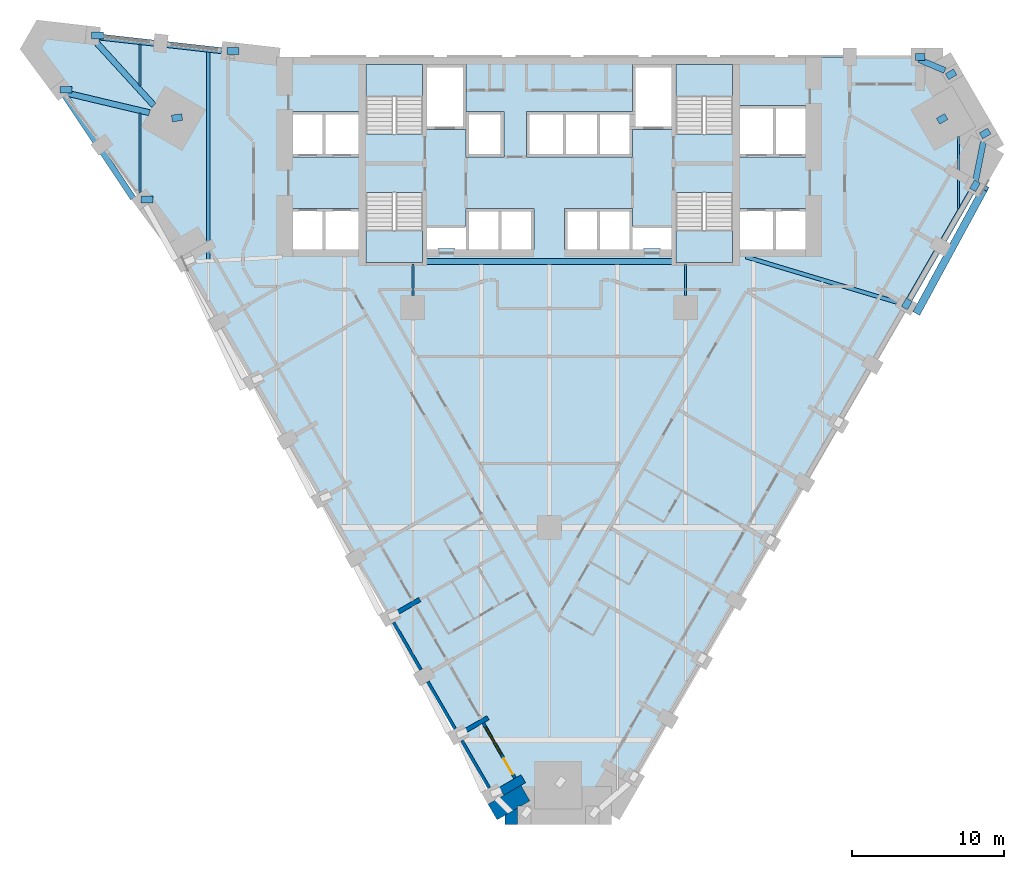
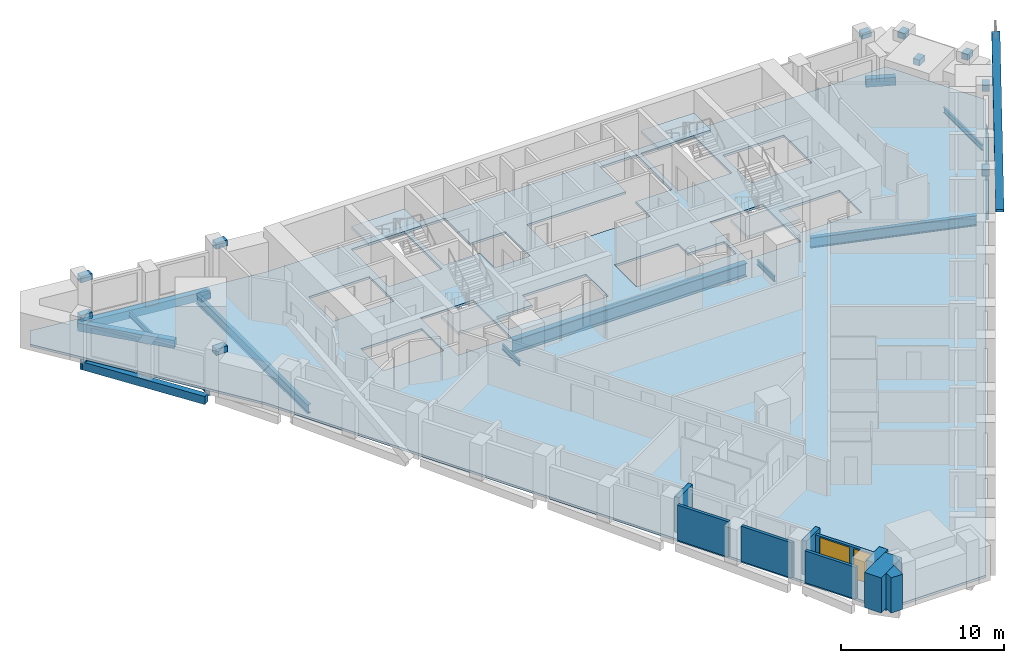
# One storey, part 2 of 11: 26 beams, 9 walls, 5 slabs, 1 door, 1 member, 1 window, 2 openings, 4 elements without a shape of their own.
"""IFC4 building model written with IfcOpenShell, lengths in metres."""

from ifc_helpers import new_model, si_unit, direction, frame, frame_2d, origin, origin_2d, place, context, subcontext, project, spatial, polyline, rectangle, hollow_rectangle, i_section, outline, extrude, material, layer, layer_set, material_profile, profile_set, type_object, element, fill, aggregate, save


model = new_model("IFC4")

# Units and contexts
model_context = context("Model", 3, precision=1e-05, world=origin(), true_north=direction((0.0, 1.0)))
body_context = subcontext(model_context, "Body", "Model", "MODEL_VIEW")
ifc_project = project(units=[si_unit("LENGTHUNIT", "METRE"), si_unit("AREAUNIT", "SQUARE_METRE"), si_unit("VOLUMEUNIT", "CUBIC_METRE"), si_unit("PLANEANGLEUNIT", "RADIAN"), si_unit("MASSUNIT", "GRAM", prefix="KILO")], contexts=[model_context])

# Site, building, storey
site_placement = place(None, origin())
site = spatial("IfcSite", under=ifc_project, at=site_placement, CompositionType="ELEMENT")
building_placement = place(site_placement, origin())
building = spatial("IfcBuilding", under=site, at=building_placement, Name="Calabash Gate Tower", CompositionType="ELEMENT")
storey_placement = place(building_placement, frame((0.0, 0.0, 73.199951171875)))
storey = spatial("IfcBuildingStorey", under=building, at=storey_placement, Name="L14", CompositionType="ELEMENT", Elevation=73.199951171875)

# Beams
ifc_material_1 = material(Name="Concrete C80/95", Category="concrete")
ifc_material_profile_1 = material_profile(ifc_material_1, rectangle(XDim=0.449951171875, YDim=0.449951171875, at=origin_2d()))
ifc_profile_set_1 = profile_set([ifc_material_profile_1], Name="Concrete C80/95")
beam_type_1 = type_object("IfcBeamType", Name="Column offset link RC 450x450 Concrete C80/95", PredefinedType="BEAM", material=ifc_profile_set_1)
beam_1_placement = place(storey_placement, frame((25.64794921875, 14.80810546875, 3.004150390625), z_axis=(0.866282275329, 0.499554821267, 0.0), x_axis=(-0.499554821267, 0.866282275329, 0.0)))
element("IfcBeam", 1, at=beam_1_placement, inside=storey, type_object=beam_type_1, Name="Column offset link L14 NE", PredefinedType="BEAM", context=body_context, shape_type="SweptSolid", body=[
    extrude(rectangle(XDim=0.449951171875, YDim=0.449951171875, at=origin_2d()), origin(), (0.0, 0.0, 1.0), 0.63037109375),
])
beam_2_placement = place(storey_placement, frame((-24.89306640625, 14.989990234375, 3.004150390625), z_axis=(0.989849007121, 0.142122985833, 0.0), x_axis=(-0.142122985833, 0.989849007121, 0.0)))
element("IfcBeam", 2, at=beam_2_placement, inside=storey, type_object=beam_type_1, Name="Column offset link L14 NW", PredefinedType="BEAM", context=body_context, shape_type="SweptSolid", body=[
    extrude(rectangle(XDim=0.449951171875, YDim=0.449951171875, at=origin_2d()), origin(), (0.0, 0.0, 1.0), 0.681884765625),
])
beam_3_placement = place(storey_placement, frame((23.431884765625, 2.48095703125, 3.004150390625), z_axis=(0.499845348112, 0.866114673684, 0.0), x_axis=(-0.866114673684, 0.499845348112, 0.0)))
element("IfcBeam", 3, at=beam_3_placement, inside=storey, type_object=beam_type_1, Name="Column offset link L14 P12", PredefinedType="BEAM", context=body_context, shape_type="SweptSolid", body=[
    extrude(rectangle(XDim=0.449951171875, YDim=0.449951171875, at=origin_2d()), origin(), (0.0, 0.0, 1.0), 0.630615234375),
])
beam_4_placement = place(storey_placement, frame((27.931884765625, 10.277099609375, 3.004150390625), z_axis=(0.501357711055, 0.865240108621, 0.0), x_axis=(-0.865240108621, 0.501357711055, 0.0)))
element("IfcBeam", 4, at=beam_4_placement, inside=storey, type_object=beam_type_1, Name="Column offset link L14 P13", PredefinedType="BEAM", context=body_context, shape_type="SweptSolid", body=[
    extrude(rectangle(XDim=0.449951171875, YDim=0.449951171875, at=origin_2d()), origin(), (0.0, 0.0, 1.0), 0.628662109375),
])
beam_5_placement = place(storey_placement, frame((28.486083984375, 13.847900390625, 3.004150390625), z_axis=(0.866017890655, 0.500013012896, 0.0), x_axis=(-0.500013012896, 0.866017890655, 0.0)))
element("IfcBeam", 5, at=beam_5_placement, inside=storey, type_object=beam_type_1, Name="Column offset link L14 P14", PredefinedType="BEAM", context=body_context, shape_type="SweptSolid", body=[
    extrude(rectangle(XDim=0.449951171875, YDim=0.449951171875, at=origin_2d()), origin(), (0.0, 0.0, 1.0), 0.63037109375),
])
beam_6_placement = place(storey_placement, frame((26.236083984375, 17.74609375, 3.004150390625), z_axis=(0.866185586049, 0.49972245349, 0.0), x_axis=(-0.49972245349, 0.866185586049, 0.0)))
element("IfcBeam", 6, at=beam_6_placement, inside=storey, type_object=beam_type_1, Name="Column offset link L14 P15", PredefinedType="BEAM", context=body_context, shape_type="SweptSolid", body=[
    extrude(rectangle(XDim=0.449951171875, YDim=0.449951171875, at=origin_2d()), origin(), (0.0, 0.0, 1.0), 0.630126953125),
])
beam_7_placement = place(storey_placement, frame((24.162109375, 19.052978515625, 3.004150390625), z_axis=(1.0, 0.0, 0.0), x_axis=(0.0, 1.0, 0.0)))
element("IfcBeam", 7, at=beam_7_placement, inside=storey, type_object=beam_type_1, Name="Column offset link L14 P16", PredefinedType="BEAM", context=body_context, shape_type="SweptSolid", body=[
    extrude(rectangle(XDim=0.449951171875, YDim=0.449951171875, at=origin_2d()), origin(), (0.0, 0.0, 1.0), 0.6298828125),
])
beam_8_placement = place(storey_placement, frame((-21.27392578125, 19.43798828125, 3.004150390625), z_axis=(1.0, 0.0, 0.0), x_axis=(0.0, 1.0, 0.0)))
element("IfcBeam", 8, at=beam_8_placement, inside=storey, type_object=beam_type_1, Name="Column offset link L14 P17", PredefinedType="BEAM", context=body_context, shape_type="SweptSolid", body=[
    extrude(rectangle(XDim=0.449951171875, YDim=0.449951171875, at=origin_2d()), origin(), (0.0, 0.0, 1.0), 0.796875),
])
beam_9_placement = place(storey_placement, frame((-30.212890625, 20.4619140625, 3.004150390625), z_axis=(1.0, 0.0, 0.0), x_axis=(0.0, 1.0, 0.0)))
element("IfcBeam", 9, at=beam_9_placement, inside=storey, type_object=beam_type_1, Name="Column offset link L14 P18", PredefinedType="BEAM", context=body_context, shape_type="SweptSolid", body=[
    extrude(rectangle(XDim=0.449951171875, YDim=0.449951171875, at=origin_2d()), origin(), (0.0, 0.0, 1.0), 0.7939453125),
])
beam_10_placement = place(storey_placement, frame((-32.281982421875, 16.883056640625, 3.004150390625), z_axis=(1.0, 0.0, 0.0), x_axis=(0.0, 1.0, 0.0)))
element("IfcBeam", 10, at=beam_10_placement, inside=storey, type_object=beam_type_1, Name="Column offset link L14 P19", PredefinedType="BEAM", context=body_context, shape_type="SweptSolid", body=[
    extrude(rectangle(XDim=0.449951171875, YDim=0.449951171875, at=origin_2d()), origin(), (0.0, 0.0, 1.0), 0.799072265625),
])
beam_11_placement = place(storey_placement, frame((-26.924072265625, 9.65087890625, 3.004150390625), z_axis=(1.0, 0.0, 0.0), x_axis=(0.0, 1.0, 0.0)))
element("IfcBeam", 11, at=beam_11_placement, inside=storey, type_object=beam_type_1, Name="Column offset link L14 P20", PredefinedType="BEAM", context=body_context, shape_type="SweptSolid", body=[
    extrude(rectangle(XDim=0.449951171875, YDim=0.449951171875, at=origin_2d()), origin(), (0.0, 0.0, 1.0), 0.796142578125),
])
ifc_material_2 = material(Name="Concrete C60/75", Category="concrete")
ifc_material_profile_2 = material_profile(ifc_material_2, rectangle(XDim=0.39990234375, YDim=0.60009765625, at=origin_2d()))
ifc_profile_set_2 = profile_set([ifc_material_profile_2], Name="Concrete C60/75")
beam_type_2 = type_object("IfcBeamType", Name="Edge beam RC 400x600 Concrete C60/75", PredefinedType="BEAM", material=ifc_profile_set_2)
beam_12_placement = place(storey_placement, frame((23.616943359375, 2.801025390625, -0.469970703125), z_axis=(0.500025102917, 0.866010910123, 0.0), x_axis=(-0.866010910123, 0.500025102917, 0.0)))
element("IfcBeam", 12, at=beam_12_placement, inside=storey, type_object=beam_type_2, Name="Edge beam L14 11", PredefinedType="BEAM", context=body_context, shape_type="SweptSolid", body=[
    extrude(rectangle(XDim=0.39990234375, YDim=0.60009765625, at=origin_2d()), origin(), (0.0, 0.0, 1.0), 8.42578125),
])
beam_13_placement = place(storey_placement, frame((28.072021484375, 10.618896484375, -0.469970703125), z_axis=(0.197276022222, 0.980347984675, 0.0), x_axis=(-0.980347984675, 0.197276022222, 0.0)))
element("IfcBeam", 13, at=beam_13_placement, inside=storey, type_object=beam_type_2, Name="Edge beam L14 12", PredefinedType="BEAM", context=body_context, shape_type="SweptSolid", body=[
    extrude(rectangle(XDim=0.39990234375, YDim=0.60009765625, at=origin_2d()), origin(), (0.0, 0.0, 1.0), 2.87353515625),
])
beam_14_placement = place(storey_placement, frame((26.10205078125, 18.157958984375, -0.469970703125), z_axis=(-0.921349387406, 0.388735522337, 0.0), x_axis=(-0.388735522337, -0.921349387406, 0.0)))
element("IfcBeam", 14, at=beam_14_placement, inside=storey, type_object=beam_type_2, Name="Edge beam L14 13", PredefinedType="BEAM", context=body_context, shape_type="SweptSolid", body=[
    extrude(rectangle(XDim=0.39990234375, YDim=0.60009765625, at=origin_2d()), origin(), (0.0, 0.0, 1.0), 1.849609375),
])
beam_15_placement = place(storey_placement, frame((-21.60400390625, 19.466064453125, -0.469970703125), z_axis=(-0.99383590534, 0.110861144034, 0.0), x_axis=(-0.110861144034, -0.99383590534, 0.0)))
element("IfcBeam", 15, at=beam_15_placement, inside=storey, type_object=beam_type_2, Name="Edge beam L14 14", PredefinedType="BEAM", context=body_context, shape_type="SweptSolid", body=[
    extrude(rectangle(XDim=0.39990234375, YDim=0.60009765625, at=origin_2d()), origin(), (0.0, 0.0, 1.0), 8.731689453125),
])
beam_16_placement = place(storey_placement, frame((-30.27392578125, 20.43994140625, -0.469970703125), z_axis=(0.674455005986, -0.738315951947, 0.0), x_axis=(0.738315951947, 0.674455005986, 0.0)))
element("IfcBeam", 16, at=beam_16_placement, inside=storey, type_object=beam_type_2, Name="Edge beam L14 15", PredefinedType="BEAM", context=body_context, shape_type="SweptSolid", body=[
    extrude(rectangle(XDim=0.39990234375, YDim=0.60009765625, at=origin_2d()), origin(), (0.0, 0.0, 1.0), 6.204833984375),
])
beam_17_placement = place(storey_placement, frame((-26.37890625, 15.37109375, -0.469970703125), z_axis=(-0.972965084641, 0.230952254956, 0.0), x_axis=(-0.230952254956, -0.972965084641, 0.0)))
element("IfcBeam", 17, at=beam_17_placement, inside=storey, type_object=beam_type_2, Name="Edge beam L14 16", PredefinedType="BEAM", context=body_context, shape_type="SweptSolid", body=[
    extrude(rectangle(XDim=0.39990234375, YDim=0.60009765625, at=origin_2d()), origin(), (0.0, 0.0, 1.0), 6.009521484375),
])
beam_18_placement = place(storey_placement, frame((-32.1640625, 16.81103515625, -0.469970703125), z_axis=(0.554673741128, -0.832067930462, 0.0), x_axis=(0.832067930462, 0.554673741128, 0.0)))
element("IfcBeam", 18, at=beam_18_placement, inside=storey, type_object=beam_type_2, Name="Edge beam L14 17", PredefinedType="BEAM", context=body_context, shape_type="SweptSolid", body=[
    extrude(rectangle(XDim=0.39990234375, YDim=0.60009765625, at=origin_2d()), origin(), (0.0, 0.0, 1.0), 8.518798828125),
])
ifc_material_3 = material(Name="Steel ASTM A992 Gr50", Category="steel")
ifc_material_profile_3 = material_profile(ifc_material_3, i_section(OverallWidth=0.1396484375, OverallDepth=0.398681640625, WebThickness=0.00634765625, FlangeThickness=0.0087890625, FilletRadius=0.01025390625, at=origin_2d()))
ifc_profile_set_3 = profile_set([ifc_material_profile_3], Name="Steel ASTM A992 Gr50")
beam_type_3 = type_object("IfcBeamType", Name="Floor beam W16x26 ASTM A992 Gr50", PredefinedType="BEAM", material=ifc_profile_set_3)
beam_19_placement = place(storey_placement, frame((-27.0, 10.069091796875, -0.368896484375), z_axis=(0.0, 1.0, 0.0), x_axis=(-1.0, 0.0, 0.0)))
element("IfcBeam", 19, at=beam_19_placement, inside=storey, type_object=beam_type_3, Name="Floor beam L14 1", PredefinedType="BEAM", context=body_context, shape_type="SweptSolid", body=[
    extrude(i_section(OverallWidth=0.1396484375, OverallDepth=0.398681640625, WebThickness=0.00634765625, FlangeThickness=0.0087890625, FilletRadius=0.01025390625, at=origin_2d()), origin(), (0.0, 0.0, 1.0), 5.267822265625),
])
beam_20_placement = place(storey_placement, frame((-27.0, 17.14111328125, -0.368896484375), z_axis=(0.0, 1.0, 0.0), x_axis=(-1.0, 0.0, 0.0)))
element("IfcBeam", 20, at=beam_20_placement, inside=storey, type_object=beam_type_3, Name="Floor beam L14 2", PredefinedType="BEAM", context=body_context, shape_type="SweptSolid", body=[
    extrude(i_section(OverallWidth=0.1396484375, OverallDepth=0.398681640625, WebThickness=0.00634765625, FlangeThickness=0.0087890625, FilletRadius=0.01025390625, at=origin_2d()), origin(), (0.0, 0.0, 1.0), 2.755859375),
])
for number, where, z_axis, x_axis, name in (
    (21, (-9.0, 3.300048828125, -0.368896484375), (0.0, 1.0, 0.0), (-1.0, 0.0, 0.0), "Floor beam L14 9"),
    (22, (9.0, 3.300048828125, -0.368896484375), (0.0, 1.0, 0.0), (-1.0, 0.0, 0.0), "Floor beam L14 19"),
):
    element("IfcBeam", number, at=place(storey_placement, frame(where, z_axis=z_axis, x_axis=x_axis)), inside=storey, type_object=beam_type_3, Name=name, PredefinedType="BEAM", context=body_context, shape_type="SweptSolid", body=[
        extrude(i_section(OverallWidth=0.1396484375, OverallDepth=0.398681640625, WebThickness=0.00634765625, FlangeThickness=0.0087890625, FilletRadius=0.01025390625, at=origin_2d()), origin(), (0.0, 0.0, 1.0), 2.10302734375),
    ])
beam_21_placement = place(storey_placement, frame((27.0, 9.048095703125, -0.368896484375), z_axis=(0.0, 1.0, 0.0), x_axis=(-1.0, 0.0, 0.0)))
element("IfcBeam", 23, at=beam_21_placement, inside=storey, type_object=beam_type_3, Name="Floor beam L14 23", PredefinedType="BEAM", context=body_context, shape_type="SweptSolid", body=[
    extrude(i_section(OverallWidth=0.1396484375, OverallDepth=0.398681640625, WebThickness=0.00634765625, FlangeThickness=0.0087890625, FilletRadius=0.01025390625, at=origin_2d()), origin(), (0.0, 0.0, 1.0), 4.744873046875),
])
ifc_material_4 = material(Name="Steel ASTM A992 Gr50", Category="steel")
ifc_material_profile_4 = material_profile(ifc_material_4, i_section(OverallWidth=0.25390625, OverallDepth=0.67822265625, WebThickness=0.01171875, FlangeThickness=0.016357421875, FilletRadius=0.01513671875, at=origin_2d()))
ifc_profile_set_4 = profile_set([ifc_material_profile_4], Name="Steel ASTM A992 Gr50")
beam_type_4 = type_object("IfcBeamType", Name="Floor beam W27x84 ASTM A992 Gr50", PredefinedType="BEAM", material=ifc_profile_set_4)
beam_22_placement = place(storey_placement, frame((-22.5, 5.7041015625, -0.509033203125), z_axis=(0.0, 1.0, 0.0), x_axis=(-1.0, 0.0, 0.0)))
element("IfcBeam", 24, at=beam_22_placement, inside=storey, type_object=beam_type_4, Name="Floor beam L14 4", PredefinedType="BEAM", context=body_context, shape_type="SweptSolid", body=[
    extrude(i_section(OverallWidth=0.25390625, OverallDepth=0.67822265625, WebThickness=0.01171875, FlangeThickness=0.016357421875, FilletRadius=0.01513671875, at=origin_2d()), origin(), (0.0, 0.0, 1.0), 13.6748046875),
])
ifc_material_5 = material(Name="Steel ASTM A992 Gr50", Category="steel")
ifc_material_profile_5 = material_profile(ifc_material_5, i_section(OverallWidth=0.2666015625, OverallDepth=0.77978515625, WebThickness=0.0166015625, FlangeThickness=0.030029296875, FilletRadius=0.0166015625, at=origin_2d()))
ifc_profile_set_5 = profile_set([ifc_material_profile_5], Name="Steel ASTM A992 Gr50")
beam_type_5 = type_object("IfcBeamType", Name="Girder W30x148 ASTM A992 Gr50", PredefinedType="BEAM", material=ifc_profile_set_5)
beam_23_placement = place(storey_placement, frame((22.97900390625, 2.85302734375, -0.56005859375), z_axis=(-0.957675094777, 0.287851372836, 0.0), x_axis=(-0.287851372836, -0.957675094777, 0.0)))
element("IfcBeam", 25, at=beam_23_placement, inside=storey, type_object=beam_type_5, Name="Girder L14 3", PredefinedType="BEAM", context=body_context, shape_type="SweptSolid", body=[
    extrude(i_section(OverallWidth=0.2666015625, OverallDepth=0.77978515625, WebThickness=0.0166015625, FlangeThickness=0.030029296875, FilletRadius=0.0166015625, at=origin_2d()), origin(), (0.0, 0.0, 1.0), 10.453369140625),
])
ifc_material_6 = material(Name="Steel ASTM A992 Gr50", Category="steel")
ifc_material_profile_6 = material_profile(ifc_material_6, i_section(OverallWidth=0.4013671875, OverallDepth=1.000732421875, WebThickness=0.01904296875, FlangeThickness=0.0361328125, FilletRadius=0.030029296875, at=origin_2d()))
ifc_profile_set_6 = profile_set([ifc_material_profile_6], Name="Steel ASTM A992 Gr50")
beam_type_6 = type_object("IfcBeamType", Name="Girder W40x249 ASTM A992 Gr50", PredefinedType="BEAM", material=ifc_profile_set_6)
beam_24_placement = place(storey_placement, frame((-8.25, 5.552978515625, -0.669921875), z_axis=(1.0, 0.0, 0.0), x_axis=(0.0, 1.0, 0.0)))
element("IfcBeam", 26, at=beam_24_placement, inside=storey, type_object=beam_type_6, Name="Girder L14 1", PredefinedType="BEAM", context=body_context, shape_type="SweptSolid", body=[
    extrude(i_section(OverallWidth=0.4013671875, OverallDepth=1.000732421875, WebThickness=0.01904296875, FlangeThickness=0.0361328125, FilletRadius=0.030029296875, at=origin_2d()), origin(), (0.0, 0.0, 1.0), 16.5),
])

# Member
ifc_material_7 = material(Name="Steel ASTM A500 Gr C", Category="steel")
ifc_material_profile_7 = material_profile(ifc_material_7, hollow_rectangle(XDim=0.508056640625, YDim=0.508056640625, WallThickness=0.01904296875, at=origin_2d()))
ifc_profile_set_7 = profile_set([ifc_material_profile_7], Name="Steel ASTM A500 Gr C")
member_type = type_object("IfcMemberType", Name="Mega-brace HSS20X20X.750 ASTM A500 Gr C", PredefinedType="BRACE", material=ifc_profile_set_7)
member_placement = place(storey_placement, frame((24.287841796875, 2.2548828125, 0.0), z_axis=(0.385199919097, 0.709438279954, 0.59018501274), x_axis=(-0.878813808184, 0.4771648463, 0.0)))
element("IfcMember", 27, at=member_placement, inside=storey, type_object=member_type, Name="Mega-brace SE Z1 10", PredefinedType="BRACE", context=body_context, shape_type="SweptSolid", body=[
    extrude(hollow_rectangle(XDim=0.508056640625, YDim=0.508056640625, WallThickness=0.01904296875, at=origin_2d()), origin(), (0.0, 0.0, 1.0), 11.52197265625),
])

# Slab
ifc_material_8 = material(Name="Concrete C40/50", Category="concrete")
ifc_layer_1 = layer(ifc_material_8, 0.169921875)
ifc_layer_set_1 = layer_set([ifc_layer_1], Name="Composite floor slab 170 Concrete C40/50")
slab_type_1 = type_object("IfcSlabType", Name="Composite floor slab 170 Concrete C40/50", PredefinedType="FLOOR", material=ifc_layer_set_1)
slab_1_placement = place(storey_placement, frame((0.0, 0.0, -0.169921875)))
element("IfcSlab", 28, at=slab_1_placement, inside=storey, type_object=slab_type_1, Name="Floor slab L14", PredefinedType="FLOOR", context=body_context, shape_type="SweptSolid", body=[
    extrude(outline(polyline([(-24.806640625, 6.92822265625), (-34.19921875, 19.606201171875), (-33.482421875, 20.84765625), (-17.806640625, 19.052490234375), (25.96240234375, 19.052490234375), (29.481201171875, 12.957763671875), (4.115478515625, -30.97705078125), (-2.922119140625, -30.97705078125), (-24.806640625, 6.92822265625)]), holes=[polyline([(-5.5, 9.052490234375), (-5.5, 7.8525390625), (-8.050048828125, 7.8525390625), (-8.050048828125, 6.3525390625), (-7.324951171875, 6.3525390625), (-7.324951171875, 6.402587890625), (-6.22509765625, 6.402587890625), (-6.22509765625, 6.3525390625), (-5.5, 6.3525390625), (-3.25, 6.3525390625), (-1.0, 6.3525390625), (-1.0, 9.052490234375), (-3.25, 9.052490234375), (-5.5, 9.052490234375)]), polyline([(5.5, 9.052490234375), (3.25, 9.052490234375), (1.0, 9.052490234375), (1.0, 6.3525390625), (3.25, 6.3525390625), (5.5, 6.3525390625), (6.22509765625, 6.3525390625), (6.22509765625, 6.402587890625), (7.324951171875, 6.402587890625), (7.324951171875, 6.3525390625), (8.050048828125, 6.3525390625), (8.050048828125, 7.8525390625), (5.5, 7.8525390625), (5.5, 9.052490234375)]), polyline([(-5.5, 14.252685546875), (-5.5, 12.45263671875), (-3.0, 12.45263671875), (-3.0, 15.45263671875), (-5.5, 15.45263671875), (-5.5, 18.552490234375), (-8.050048828125, 18.552490234375), (-8.050048828125, 14.252685546875), (-5.5, 14.252685546875)]), polyline([(8.050048828125, 18.552490234375), (5.5, 18.552490234375), (5.5, 15.45263671875), (3.25, 15.45263671875), (1.0, 15.45263671875), (-1.5, 15.45263671875), (-1.5, 12.45263671875), (1.0, 12.45263671875), (3.25, 12.45263671875), (5.5, 12.45263671875), (5.5, 14.252685546875), (8.050048828125, 14.252685546875), (8.050048828125, 18.552490234375)]), polyline([(-12.60009765625, 6.3525390625), (-12.60009765625, 9.052490234375), (-14.85009765625, 9.052490234375), (-16.89990234375, 9.052490234375), (-16.89990234375, 6.3525390625), (-14.85009765625, 6.3525390625), (-12.60009765625, 6.3525390625)]), polyline([(-14.85009765625, 12.45263671875), (-12.60009765625, 12.45263671875), (-12.60009765625, 15.45263671875), (-14.85009765625, 15.45263671875), (-16.89990234375, 15.45263671875), (-16.89990234375, 12.45263671875), (-14.85009765625, 12.45263671875)]), polyline([(14.85009765625, 6.3525390625), (16.89990234375, 6.3525390625), (16.89990234375, 9.052490234375), (14.85009765625, 9.052490234375), (12.60009765625, 9.052490234375), (12.60009765625, 6.3525390625), (14.85009765625, 6.3525390625)]), polyline([(14.85009765625, 12.45263671875), (16.89990234375, 12.45263671875), (16.89990234375, 15.8525390625), (14.85009765625, 15.8525390625), (12.60009765625, 15.8525390625), (12.60009765625, 12.45263671875), (14.85009765625, 12.45263671875)]), polyline([(-8.35009765625, 18.552490234375), (-12.10009765625, 18.552490234375), (-12.10009765625, 13.95263671875), (-8.35009765625, 13.95263671875), (-8.35009765625, 18.552490234375)]), polyline([(-12.10009765625, 10.1025390625), (-12.10009765625, 5.502685546875), (-8.35009765625, 5.502685546875), (-8.35009765625, 10.1025390625), (-12.10009765625, 10.1025390625)]), polyline([(8.35009765625, 13.95263671875), (12.10009765625, 13.95263671875), (12.10009765625, 18.552490234375), (8.35009765625, 18.552490234375), (8.35009765625, 13.95263671875)]), polyline([(12.10009765625, 5.502685546875), (12.10009765625, 10.1025390625), (8.35009765625, 10.1025390625), (8.35009765625, 5.502685546875), (12.10009765625, 5.502685546875)])]), origin(), (0.0, 0.0, 1.0), 0.169921875),
])

# Stair, slab
ifc_material_9 = material(Name="Concrete C40/50", Category="concrete")
stair_type = type_object("IfcStairType", Name="Exit stair 20 risers of 170 mm", PredefinedType="HALF_TURN_STAIR", material=ifc_material_9)
stair_1_placement = place(storey_placement, origin())
stair_1 = element("IfcStair", 29, at=stair_1_placement, inside=storey, type_object=stair_type, Name="L14 Exit stair ST1", PredefinedType="HALF_TURN_STAIR")
ifc_material_10 = material(Name="Concrete C40/50", Category="concrete")
ifc_layer_2 = layer(ifc_material_10, 0.199951171875)
ifc_layer_set_2 = layer_set([ifc_layer_2], Name="Stair landing SL200")
slab_type_2 = type_object("IfcSlabType", Name="Stair landing SL200", PredefinedType="LANDING", material=ifc_layer_set_2)
slab_2_placement = place(storey_placement, frame((0.0, 0.0, 1.5)))
slab_2 = element("IfcSlab", 30, at=slab_2_placement, type_object=slab_type_2, Name="ST1 landing 1", PredefinedType="LANDING", context=body_context, shape_type="SweptSolid", body=[
    extrude(outline(polyline([(-8.35009765625, 16.463623046875), (-8.35009765625, 18.552490234375), (-12.10009765625, 18.552490234375), (-12.10009765625, 16.463623046875), (-8.35009765625, 16.463623046875)])), origin(), (0.0, 0.0, 1.0), 0.199951171875),
])
aggregate(stair_1, [slab_2])

stair_2_placement = place(storey_placement, origin())
stair_2 = element("IfcStair", 31, at=stair_2_placement, inside=storey, type_object=stair_type, Name="L14 Exit stair ST2", PredefinedType="HALF_TURN_STAIR")
slab_3_placement = place(storey_placement, frame((0.0, 0.0, 1.5)))
slab_3 = element("IfcSlab", 32, at=slab_3_placement, type_object=slab_type_2, Name="ST2 landing 1", PredefinedType="LANDING", context=body_context, shape_type="SweptSolid", body=[
    extrude(outline(polyline([(-12.10009765625, 7.591552734375), (-12.10009765625, 5.502685546875), (-8.35009765625, 5.502685546875), (-8.35009765625, 7.591552734375), (-12.10009765625, 7.591552734375)])), origin(), (0.0, 0.0, 1.0), 0.199951171875),
])
aggregate(stair_2, [slab_3])

stair_3_placement = place(storey_placement, origin())
stair_3 = element("IfcStair", 33, at=stair_3_placement, inside=storey, type_object=stair_type, Name="L14 Exit stair ST3", PredefinedType="HALF_TURN_STAIR")
slab_4_placement = place(storey_placement, frame((0.0, 0.0, 1.5)))
slab_4 = element("IfcSlab", 34, at=slab_4_placement, type_object=slab_type_2, Name="ST3 landing 1", PredefinedType="LANDING", context=body_context, shape_type="SweptSolid", body=[
    extrude(outline(polyline([(12.10009765625, 16.463623046875), (12.10009765625, 18.552490234375), (8.35009765625, 18.552490234375), (8.35009765625, 16.463623046875), (12.10009765625, 16.463623046875)])), origin(), (0.0, 0.0, 1.0), 0.199951171875),
])
aggregate(stair_3, [slab_4])

stair_4_placement = place(storey_placement, origin())
stair_4 = element("IfcStair", 35, at=stair_4_placement, inside=storey, type_object=stair_type, Name="L14 Exit stair ST4", PredefinedType="HALF_TURN_STAIR")
slab_5_placement = place(storey_placement, frame((0.0, 0.0, 1.5)))
slab_5 = element("IfcSlab", 36, at=slab_5_placement, type_object=slab_type_2, Name="ST4 landing 1", PredefinedType="LANDING", context=body_context, shape_type="SweptSolid", body=[
    extrude(outline(polyline([(8.35009765625, 7.591552734375), (8.35009765625, 5.502685546875), (12.10009765625, 5.502685546875), (12.10009765625, 7.591552734375), (8.35009765625, 7.591552734375)])), origin(), (0.0, 0.0, 1.0), 0.199951171875),
])
aggregate(stair_4, [slab_5])

# Walls
ifc_material_11 = material(Name="Terracotta brick masonry, exposed face", Category="masonry")
ifc_layer_3 = layer(ifc_material_11, 2.5)
ifc_layer_set_3 = layer_set([ifc_layer_3], Name="Brick corner mass wall 2500")
wall_type_1 = type_object("IfcWallType", Name="Brick corner mass wall 2500", PredefinedType="SOLIDWALL", material=ifc_layer_set_3)
wall_1_placement = place(storey_placement, origin())
element("IfcWall", 37, at=wall_1_placement, inside=storey, type_object=wall_type_1, Name="Brick corner pier S03 2a", PredefinedType="SOLIDWALL", context=body_context, shape_type="SweptSolid", body=[
    extrude(outline(polyline([(-1.276611328125, -30.027099609375), (-1.868896484375, -29.001220703125), (-4.033935546875, -30.251220703125), (-3.441650390625, -31.277099609375), (-2.10302734375, -30.504150390625), (-2.10302734375, -30.376953125), (-1.8828125, -30.376953125), (-1.276611328125, -30.027099609375)])), origin(), (0.0, 0.0, 1.0), 2.630126953125),
])
wall_2_placement = place(storey_placement, origin())
element("IfcWall", 38, at=wall_2_placement, inside=storey, type_object=wall_type_1, Name="Brick corner pier S03 2ba", PredefinedType="SOLIDWALL", context=body_context, shape_type="SweptSolid", body=[
    extrude(outline(polyline([(-2.922119140625, -30.97705078125), (-2.922119140625, -31.576904296875), (-2.10302734375, -31.576904296875), (-2.10302734375, -30.504150390625), (-2.922119140625, -30.97705078125)])), origin(), (0.0, 0.0, 1.0), 2.630126953125),
])
ifc_material_12 = material(Name="Terracotta brick masonry, exposed face", Category="masonry")
ifc_layer_4 = layer(ifc_material_12, 0.300048828125)
ifc_layer_set_4 = layer_set([ifc_layer_4], Name="Brick loggia cheek wall 300")
wall_type_2 = type_object("IfcWallType", Name="Brick loggia cheek wall 300", PredefinedType="SOLIDWALL", material=ifc_layer_set_4)
wall_3_placement = place(storey_placement, frame((-8.540771484375, -16.7451171875, 0.0), z_axis=(0.0, 0.0, 1.0), x_axis=(-0.866067297121, -0.499927431592, 0.0)))
element("IfcWall", 39, at=wall_3_placement, inside=storey, type_object=wall_type_2, Name="Loggia cheek S03 SW0.6", PredefinedType="SOLIDWALL", context=body_context, shape_type="SweptSolid", body=[
    extrude(rectangle(XDim=1.649658203125, YDim=0.300048828125, at=frame_2d((0.82470703125, 0.0))), origin(), (0.0, 0.0, 1.0), 2.650146484375),
])
wall_4_placement = place(storey_placement, frame((-5.46923828125, -25.364013671875, 0.0), z_axis=(0.0, 0.0, 1.0), x_axis=(0.866030301974, 0.499991515992, 0.0)))
element("IfcWall", 40, at=wall_4_placement, inside=storey, type_object=wall_type_2, Name="Loggia cheek S03 SW0.8", PredefinedType="SOLIDWALL", context=body_context, shape_type="SweptSolid", body=[
    extrude(rectangle(XDim=1.6494140625, YDim=0.300048828125, at=frame_2d((0.82470703125, 0.0))), origin(), (0.0, 0.0, 1.0), 2.552001953125),
])
wall_5_placement = place(storey_placement, frame((-3.144775390625, -29.391357421875, 0.0), z_axis=(0.0, 0.0, 1.0), x_axis=(0.866040211805, 0.499974350878, 0.0)))
element("IfcWall", 41, at=wall_5_placement, inside=storey, type_object=wall_type_2, Name="Loggia cheek S03 SW0.9", PredefinedType="SOLIDWALL", context=body_context, shape_type="SweptSolid", body=[
    extrude(rectangle(XDim=1.64990234375, YDim=0.60009765625, at=frame_2d((0.824951171875, 0.0))), origin(), (0.0, 0.0, 1.0), 2.630126953125),
])
ifc_material_13 = material(Name="Terracotta brick masonry, perforated", Category="masonry")
ifc_layer_5 = layer(ifc_material_13, 0.199951171875)
ifc_layer_set_5 = layer_set([ifc_layer_5], Name="Terracotta jaali screen A")
wall_type_3 = type_object("IfcWallType", Name="Terracotta jaali screen A", PredefinedType="SOLIDWALL", material=ifc_layer_set_5)
for number, where, z_axis, x_axis, name in (
    (42, (-10.264404296875, -18.259765625, 0.0), (0.0, 0.0, 1.0), (0.500012057535, -0.866018442252, 0.0), "SCREEN A S03 SW0.7"),
    (43, (-8.014404296875, -22.156982421875, 0.0), (0.0, 0.0, 1.0), (0.500012057535, -0.866018442252, 0.0), "SCREEN A S03 SW0.8"),
):
    element("IfcWall", number, at=place(storey_placement, frame(where, z_axis=z_axis, x_axis=x_axis)), inside=storey, type_object=wall_type_3, Name=name, PredefinedType="SOLIDWALL", context=body_context, shape_type="SweptSolid", body=[
        extrude(rectangle(XDim=3.60009765625, YDim=0.199951171875, at=frame_2d((1.800048828125, 0.0))), origin(), (0.0, 0.0, 1.0), 2.630126953125),
    ])
wall_6_placement = place(storey_placement, frame((-5.764404296875, -26.053955078125, 0.0), z_axis=(0.0, 0.0, 1.0), x_axis=(0.500012057535, -0.866018442252, 0.0)))
element("IfcWall", 44, at=wall_6_placement, inside=storey, type_object=wall_type_3, Name="SCREEN A S03 SW0.9", PredefinedType="SOLIDWALL", context=body_context, shape_type="SweptSolid", body=[
    extrude(rectangle(XDim=3.60009765625, YDim=0.199951171875, at=frame_2d((1.800048828125, 0.0))), origin(), (0.0, 0.0, 1.0), 2.3740234375),
])

# Wall, openings, door, window
ifc_material_14 = material(Name="Aluminium framed window wall with insulated spandrel", Category="aluminium")
ifc_layer_6 = layer(ifc_material_14, 0.199951171875)
ifc_layer_set_6 = layer_set([ifc_layer_6], Name="Window wall 200")
wall_type_4 = type_object("IfcWallType", Name="Window wall 200", PredefinedType="ELEMENTEDWALL", material=ifc_layer_set_6)
wall_7_placement = place(storey_placement, frame((-4.35546875, -24.894287109375, 0.0), z_axis=(0.0, 0.0, 1.0), x_axis=(0.49998411664, -0.866034573852, 0.0)))
wall_7 = element("IfcWall", 45, at=wall_7_placement, inside=storey, type_object=wall_type_4, Name="Window wall S03 SW0.9", PredefinedType="ELEMENTEDWALL", context=body_context, shape_type="SweptSolid", body=[
    extrude(rectangle(XDim=4.199951171875, YDim=0.199951171875, at=frame_2d((2.10009765625, 0.0))), origin(), (0.0, 0.0, 1.0), 2.3740234375),
])
opening_1_placement = place(wall_7_placement, frame((0.300048828125, 0.0, 0.60009765625)))
opening_1 = element("IfcOpeningElement", 46, at=opening_1_placement, cuts=wall_7, Name="Opening HW1L-1670", PredefinedType="OPENING", context=body_context, shape_type="SweptSolid", body=[
    extrude(rectangle(XDim=2.10009765625, YDim=1.669921875, at=frame_2d((1.050048828125, 0.8349609375))), frame((0.0, 0.10986328125, 0.0), z_axis=(0.0, -1.0, 0.0), x_axis=(1.0, 0.0, 0.0)), (0.0, 0.0, 1.0), 0.219970703125),
])
opening_2_placement = place(wall_7_placement, frame((2.699951171875, 0.0, 0.0)))
opening_2 = element("IfcOpeningElement", 47, at=opening_2_placement, cuts=wall_7, Name="Opening H3-028", PredefinedType="OPENING", context=body_context, shape_type="SweptSolid", body=[
    extrude(rectangle(XDim=1.199951171875, YDim=2.27001953125, at=frame_2d((0.60009765625, 1.135009765625))), frame((0.0, 0.10986328125, 0.0), z_axis=(0.0, -1.0, 0.0), x_axis=(1.0, 0.0, 0.0)), (0.0, 0.0, 1.0), 0.219970703125),
])
ifc_material_15 = material(Name="Anodised aluminium frame, bronze finish, impact-rated laminated clear glazing", Category="aluminium")
door_type = type_object("IfcDoorType", Name="Loggia door DH1L-2270 1200x2270", OperationType="SLIDING_TO_LEFT", PredefinedType="DOOR", material=ifc_material_15)
door_placement = place(opening_2_placement, origin())
door = element("IfcDoor", 48, at=door_placement, inside=storey, type_object=door_type, Name="Loggia door S03 SW0.9", OperationType="SINGLE_SWING_LEFT", OverallHeight=2.27001953125, OverallWidth=1.199951171875, PredefinedType="DOOR", context=body_context, shape_type="SweptSolid", body=[
    extrude(rectangle(XDim=1.199951171875, YDim=2.27001953125, at=frame_2d((0.60009765625, 1.135009765625))), frame((0.0, 0.02490234375, 0.0), z_axis=(0.0, -1.0, 0.0), x_axis=(1.0, 0.0, 0.0)), (0.0, 0.0, 1.0), 0.050048828125),
])
fill(opening_2, door)
ifc_material_16 = material(Name="Anodised aluminium frame, bronze finish, impact-rated laminated clear glazing", Category="aluminium")
window_type = type_object("IfcWindowType", Name="Window HW1L 2100x1670", PartitioningType="DOUBLE_PANEL_VERTICAL", PredefinedType="WINDOW", material=ifc_material_16)
window_placement = place(opening_1_placement, origin())
window = element("IfcWindow", 49, at=window_placement, inside=storey, type_object=window_type, Name="Window HW1 S03 SW0.9", OverallHeight=1.669921875, OverallWidth=2.10009765625, PartitioningType="SINGLE_PANEL", PredefinedType="WINDOW", context=body_context, shape_type="SweptSolid", body=[
    extrude(rectangle(XDim=2.10009765625, YDim=1.669921875, at=frame_2d((1.050048828125, 0.8349609375))), frame((0.0, 0.030029296875, 0.0), z_axis=(0.0, -1.0, 0.0), x_axis=(1.0, 0.0, 0.0)), (0.0, 0.0, 1.0), 0.06005859375),
])
fill(opening_1, window)

save(model, "model.ifc")
